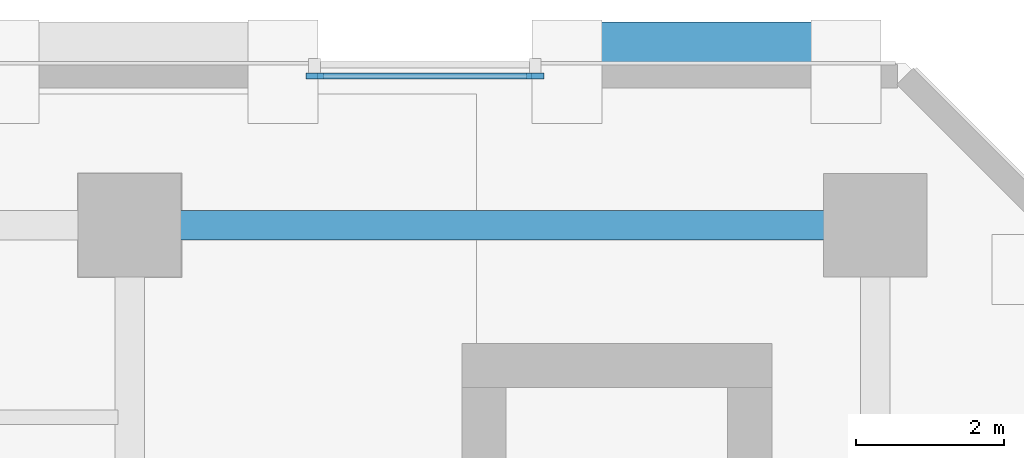
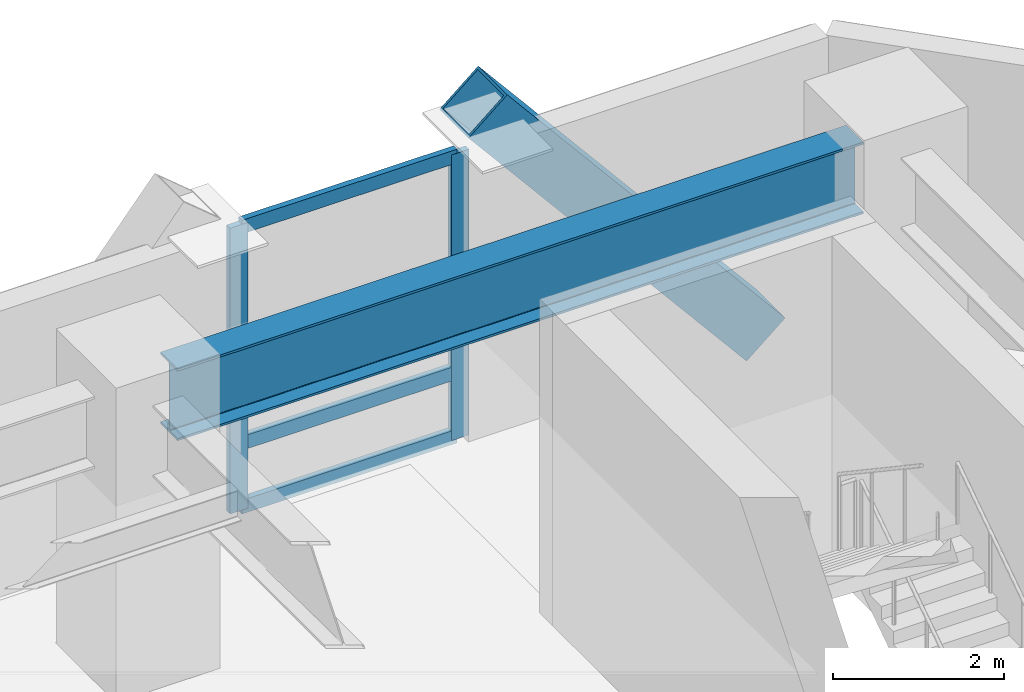
# One storey, part 11 of 26: 6 members, 1 beam, 1 element without a shape of its own.
"""IFC4 building model written with IfcOpenShell, lengths in metres."""

from ifc_helpers import new_model, si_unit, direction, frame, origin, origin_2d, place, context, subcontext, project, spatial, rectangle, hollow_rectangle, i_section, extrude, material, material_profile, profile_set, type_object, element, aggregate, save


model = new_model("IFC4")

# Units and contexts
model_context = context("Model", 3, precision=1e-05, world=origin(), true_north=direction((0.0, 1.0)))
body_context = subcontext(model_context, "Body", "Model", "MODEL_VIEW")
ifc_project = project(units=[si_unit("LENGTHUNIT", "METRE"), si_unit("AREAUNIT", "SQUARE_METRE"), si_unit("VOLUMEUNIT", "CUBIC_METRE"), si_unit("PLANEANGLEUNIT", "RADIAN"), si_unit("MASSUNIT", "GRAM", prefix="KILO")], contexts=[model_context])

# Site, building, storey
site_placement = place(None, origin())
site = spatial("IfcSite", under=ifc_project, at=site_placement, CompositionType="ELEMENT")
building_placement = place(site_placement, origin())
building = spatial("IfcBuilding", under=site, at=building_placement, Name="Quenlor Broadcast Tower", CompositionType="ELEMENT")
storey_placement = place(building_placement, frame((0.0, 0.0, 18.5)))
storey = spatial("IfcBuildingStorey", under=building, at=storey_placement, Name="L04", CompositionType="ELEMENT", Elevation=18.5)

# Curtain wall, members
ifc_material_1 = material(Name="Architectural Terracotta and Low-E Glazing", Category="masonry")
curtain_wall_type = type_object("IfcCurtainWallType", Name="Station Concourse and Crown Terracotta Curtain Wall", PredefinedType="NOTDEFINED", material=ifc_material_1)
curtain_wall_placement = place(storey_placement, origin())
curtain_wall = element("IfcCurtainWall", 1, at=curtain_wall_placement, inside=storey, type_object=curtain_wall_type, Name="L04 Curtain Wall CW6 (L04-N-FULL-G6)", PredefinedType="NOTDEFINED")
ifc_material_2 = material(Name="Aluminium 6063-T6", Category="aluminium")
ifc_material_profile_1 = material_profile(ifc_material_2, rectangle(XDim=0.08203125, YDim=0.239990234375, at=origin_2d()))
ifc_profile_set_1 = profile_set([ifc_material_profile_1], Name="Aluminium 6063-T6 MULL82x240")
member_type_1 = type_object("IfcMemberType", Name="CW6 Aluminium Mullion MULL_CW6", PredefinedType="MULLION", material=ifc_profile_set_1)
member_1_placement = place(storey_placement, frame((27.006103515625, 24.820068359375, 0.0), z_axis=(0.0, 0.0, 1.0), x_axis=(0.0, 1.0, 0.0)))
member_1 = element("IfcMember", 2, at=member_1_placement, type_object=member_type_1, Name="CW6 mullion 1", PredefinedType="MULLION", context=body_context, shape_type="SweptSolid", body=[
    extrude(rectangle(XDim=0.08203125, YDim=0.239990234375, at=origin_2d()), origin(), (0.0, 0.0, 1.0), 4.080078125),
])
member_2_placement = place(storey_placement, frame((29.993896484375, 24.820068359375, 0.0), z_axis=(0.0, 0.0, 1.0), x_axis=(0.0, 1.0, 0.0)))
member_2 = element("IfcMember", 3, at=member_2_placement, type_object=member_type_1, Name="CW6 mullion 2", PredefinedType="MULLION", context=body_context, shape_type="SweptSolid", body=[
    extrude(rectangle(XDim=0.08203125, YDim=0.239990234375, at=origin_2d()), origin(), (0.0, 0.0, 1.0), 4.080078125),
])
ifc_material_3 = material(Name="Aluminium 6063-T6", Category="aluminium")
ifc_material_profile_2 = material_profile(ifc_material_3, rectangle(XDim=0.08203125, YDim=0.195068359375, at=origin_2d()))
ifc_profile_set_2 = profile_set([ifc_material_profile_2], Name="Aluminium 6063-T6 TRAN82x195")
member_type_2 = type_object("IfcMemberType", Name="CW6 Aluminium Transom TRAN_CW6", PredefinedType="USERDEFINED", material=ifc_profile_set_2)
member_3_placement = place(storey_placement, frame((27.047119140625, 24.820068359375, 0.041015625), z_axis=(1.0, 0.0, 0.0), x_axis=(0.0, 1.0, 0.0)))
member_3 = element("IfcMember", 4, at=member_3_placement, type_object=member_type_2, Name="CW6 transom 1.1", ObjectType="TRANSOM", PredefinedType="USERDEFINED", context=body_context, shape_type="SweptSolid", body=[
    extrude(rectangle(XDim=0.08203125, YDim=0.195068359375, at=origin_2d()), origin(), (0.0, 0.0, 1.0), 2.90576171875),
])
member_4_placement = place(storey_placement, frame((27.047119140625, 24.820068359375, 0.949951171875), z_axis=(1.0, 0.0, 0.0), x_axis=(0.0, 1.0, 0.0)))
member_4 = element("IfcMember", 5, at=member_4_placement, type_object=member_type_2, Name="CW6 transom 1.2", ObjectType="TRANSOM", PredefinedType="USERDEFINED", context=body_context, shape_type="SweptSolid", body=[
    extrude(rectangle(XDim=0.08203125, YDim=0.195068359375, at=origin_2d()), origin(), (0.0, 0.0, 1.0), 2.90576171875),
])
member_5_placement = place(storey_placement, frame((27.047119140625, 24.820068359375, 4.0390625), z_axis=(1.0, 0.0, 0.0), x_axis=(0.0, 1.0, 0.0)))
member_5 = element("IfcMember", 6, at=member_5_placement, type_object=member_type_2, Name="CW6 transom 1.3", ObjectType="TRANSOM", PredefinedType="USERDEFINED", context=body_context, shape_type="SweptSolid", body=[
    extrude(rectangle(XDim=0.08203125, YDim=0.195068359375, at=origin_2d()), origin(), (0.0, 0.0, 1.0), 2.90576171875),
])
aggregate(curtain_wall, [member_1, member_2, member_3, member_4, member_5])

# Member
ifc_material_4 = material(Name="Steel S355", Category="steel")
ifc_material_profile_3 = material_profile(ifc_material_4, hollow_rectangle(XDim=0.679931640625, YDim=0.679931640625, WallThickness=0.034912109375, at=origin_2d()))
ifc_profile_set_3 = profile_set([ifc_material_profile_3], Name="Steel S355 RHS680x680x35")
member_type_3 = type_object("IfcMemberType", Name="Perimeter Diagonal Lattice Brace Z1 Steel S355 RHS680x35", PredefinedType="BRACE", material=ifc_profile_set_3)
member_6_placement = place(storey_placement, frame((34.17724609375, 25.215087890625, -0.1201171875), z_axis=(-0.640626831312, 0.0, 0.767852370578), x_axis=(0.0, -1.0, 0.0)))
element("IfcMember", 7, at=member_6_placement, inside=storey, type_object=member_type_3, Name="L04 Podium Diamond Lattice N-P6B", PredefinedType="BRACE", context=body_context, shape_type="SweptSolid", body=[
    extrude(hollow_rectangle(XDim=0.679931640625, YDim=0.679931640625, WallThickness=0.034912109375, at=origin_2d()), origin(), (0.0, 0.0, 1.0), 5.860595703125),
])

# Beam
ifc_material_5 = material(Name="Steel S355", Category="steel")
ifc_material_profile_4 = material_profile(ifc_material_5, i_section(OverallWidth=0.39990234375, OverallDepth=1.02392578125, WebThickness=0.01611328125, FlangeThickness=0.031982421875, FilletRadius=0.01611328125, at=origin_2d()))
ifc_profile_set_4 = profile_set([ifc_material_profile_4], Name="Steel S355 1000WB322")
beam_type = type_object("IfcBeamType", Name="Podium Concourse Girder Steel S355 1000WB322", PredefinedType="BEAM", material=ifc_profile_set_4)
beam_placement = place(storey_placement, frame((24.919921875, 22.800048828125, 3.568115234375), z_axis=(1.0, 0.0, 0.0), x_axis=(0.0, 1.0, 0.0)))
element("IfcBeam", 8, at=beam_placement, inside=storey, type_object=beam_type, Name="L04 Podium Girder 33", PredefinedType="BEAM", context=body_context, shape_type="SweptSolid", body=[
    extrude(i_section(OverallWidth=0.39990234375, OverallDepth=1.02392578125, WebThickness=0.01611328125, FlangeThickness=0.031982421875, FilletRadius=0.01611328125, at=origin_2d()), origin(), (0.0, 0.0, 1.0), 9.260009765625),
])

save(model, "model.ifc")
